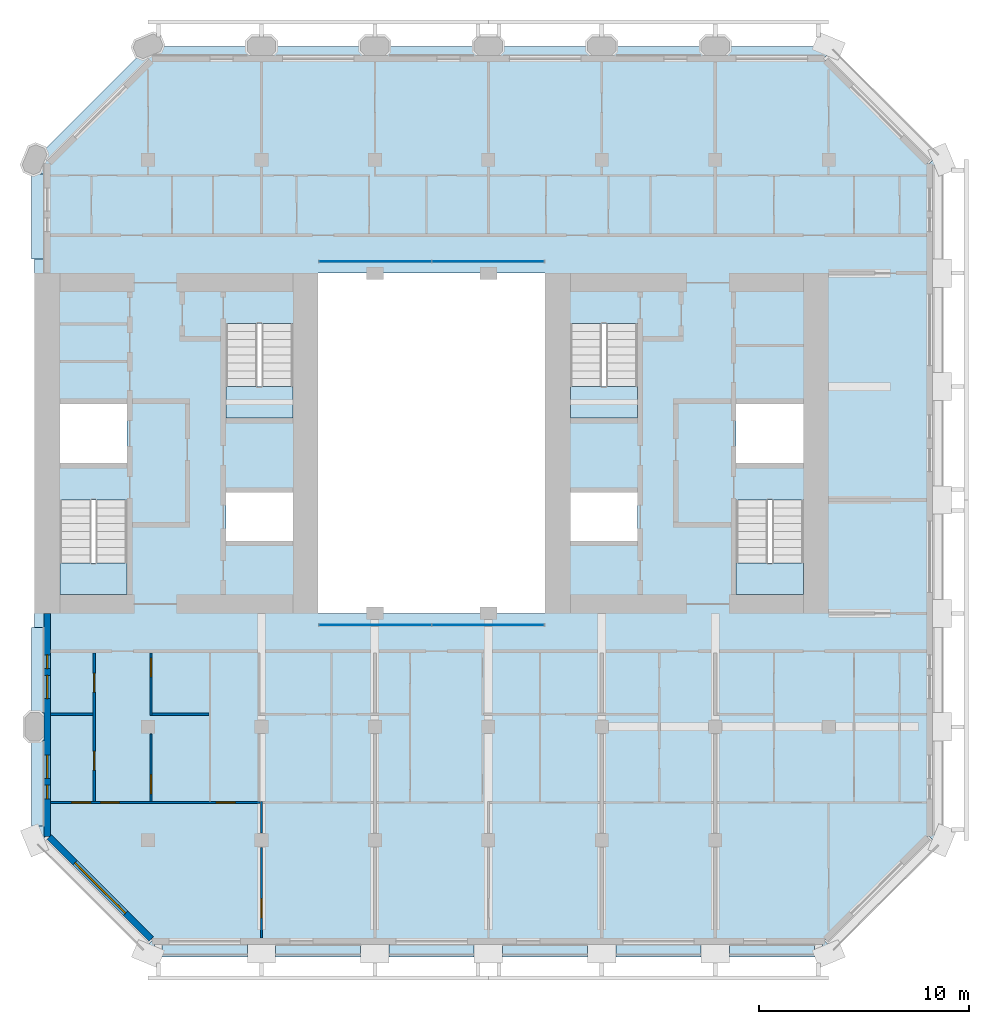
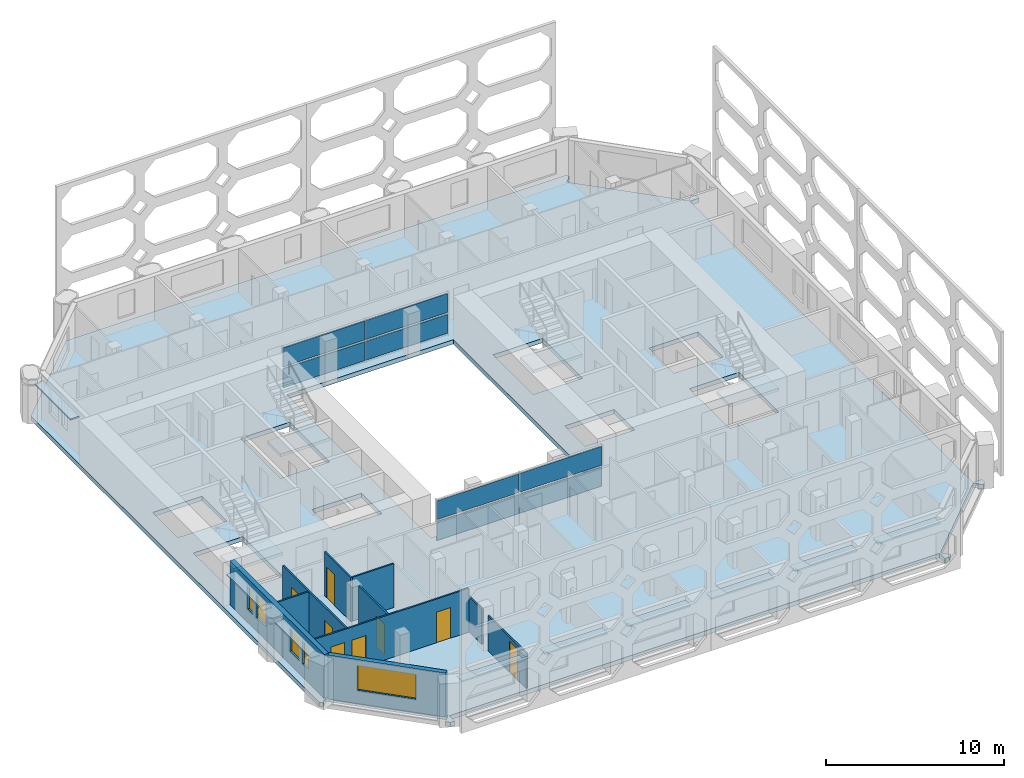
# One storey, part 5 of 15: 17 plates, 10 walls, 8 doors, 5 slabs, 5 windows, 13 openings, 6 elements without a shape of their own.
"""IFC4 building model written with IfcOpenShell, lengths in metres."""

import ifcopenshell
import ifcopenshell.guid

model = None  # the IFC model being written
_history = None  # IfcOwnerHistory: only IFC2X3 demands one
_inside = {}  # id of a spatial element -> (the spatial element, [elements in it])
_under = {}  # id of a project, library or spatial element -> (it, [spatial elements below it])
_declared = {}  # id of a project -> (the project, [libraries it declares])
_typed = {}  # id of a type object -> (the type object, [elements of that type])
_made_of = {}  # id of a material, layer set ... -> (it, [elements and type objects made of it])


def new_model(schema):
    """Start an empty IFC model of exactly this schema.

    Asked for "IFC4X3", IfcOpenShell would pick the latest addendum, in which some entities
    have other attributes; the version numbers below select the first issue.
    IFC2X3 requires an IfcOwnerHistory on every rooted entity: one is made here for all.
    """
    global model, _history
    if schema == "IFC4X3":
        model = ifcopenshell.file(schema_version=(4, 3, 0, 0))
    else:
        model = ifcopenshell.file(schema=schema)
    _inside.clear()
    _under.clear()
    _declared.clear()
    _typed.clear()
    _made_of.clear()
    _history = None
    if model.schema == "IFC2X3":
        org = make("IfcOrganization", Name="unknown")
        user = make(
            "IfcPersonAndOrganization",
            ThePerson=make("IfcPerson", FamilyName="unknown"),
            TheOrganization=org,
        )
        app = make(
            "IfcApplication",
            ApplicationDeveloper=org,
            Version="unknown",
            ApplicationFullName="unknown",
            ApplicationIdentifier="unknown",
        )
        _history = make(
            "IfcOwnerHistory",
            OwningUser=user,
            OwningApplication=app,
            ChangeAction="ADDED",
            CreationDate=0,
        )
    return model


def make(cls, **values):
    """One entity of the class cls with the attributes given. An attribute that is None is left unset."""
    return model.create_entity(
        cls, **{name: value for name, value in values.items() if value is not None}
    )


def rooted(cls, **values):
    """An entity with a GlobalId (a new one), such as an element, a storey or a relation."""
    return make(cls, GlobalId=ifcopenshell.guid.new(), OwnerHistory=_history, **values)


def si_unit(unit_type, name, prefix=None):
    """IfcSIUnit, for example si_unit("LENGTHUNIT", "METRE", prefix="MILLI")."""
    return make("IfcSIUnit", UnitType=unit_type, Prefix=prefix, Name=name)


def assignment(units):
    """IfcUnitAssignment: the units of a project."""
    return None if units is None else make("IfcUnitAssignment", Units=units)


def point(xyz):
    """IfcCartesianPoint."""
    return None if xyz is None else make("IfcCartesianPoint", Coordinates=xyz)


def direction(xyz):
    """IfcDirection."""
    return None if xyz is None else make("IfcDirection", DirectionRatios=xyz)


def frame(location, z_axis=None, x_axis=None):
    """IfcAxis2Placement3D, a coordinate frame: its origin and axes. An axis left out is left unset."""
    return make(
        "IfcAxis2Placement3D",
        Location=point(location),
        Axis=direction(z_axis),
        RefDirection=direction(x_axis),
    )


def frame_2d(location, x_axis=None):
    """IfcAxis2Placement2D, a coordinate frame in the plane: its origin and x axis."""
    return make(
        "IfcAxis2Placement2D", Location=point(location), RefDirection=direction(x_axis)
    )


def origin():
    """The frame at (0, 0, 0) with its axes left unset."""
    return frame((0.0, 0.0, 0.0))


def origin_2d():
    """The frame at (0, 0) in the plane with its x axis left unset."""
    return frame_2d((0.0, 0.0))


def place(relative_to, where):
    """IfcLocalPlacement: puts the frame where relative to a parent placement (None: the world)."""
    return make(
        "IfcLocalPlacement", PlacementRelTo=relative_to, RelativePlacement=where
    )


def context(
    kind, dimensions, precision=None, world=None, true_north=None, identifier=None
):
    """IfcGeometricRepresentationContext, for example the 3D "Model" context."""
    return make(
        "IfcGeometricRepresentationContext",
        ContextIdentifier=identifier,
        ContextType=kind,
        CoordinateSpaceDimension=dimensions,
        Precision=precision,
        WorldCoordinateSystem=world,
        TrueNorth=true_north,
    )


def subcontext(parent, identifier, kind, view, scale=None):
    """IfcGeometricRepresentationSubContext, for example "Body" below "Model"."""
    return make(
        "IfcGeometricRepresentationSubContext",
        ContextIdentifier=identifier,
        ContextType=kind,
        ParentContext=parent,
        TargetScale=scale,
        TargetView=view,
    )


def project(units=None, contexts=None):
    """IfcProject with its units and contexts."""
    return rooted(
        "IfcProject",
        Name="project",
        RepresentationContexts=contexts,
        UnitsInContext=assignment(units),
    )


def spatial(cls, under=None, at=None, **own):
    """A site, building, storey or space (cls), placed at a placement, below another one or the project."""
    s = rooted(cls, ObjectPlacement=at, **own)
    if under is not None:
        _under.setdefault(under.id(), (under, []))[1].append(s)
    return s


def polyline(points):
    """IfcPolyline through the points."""
    return make("IfcPolyline", Points=[point(p) for p in points])


def profile(cls, at=None, kind="AREA", **sizes):
    """A parametric profile (cls). Its sizes go by their IFC names, for example OverallWidth=200.0."""
    return make(cls, ProfileType=kind, Position=at, **sizes)


def rectangle(**sizes):
    """IfcRectangleProfileDef."""
    return profile("IfcRectangleProfileDef", **sizes)


def outline(outer, holes=None, kind="AREA"):
    """IfcArbitraryClosedProfileDef: a profile drawn as a closed curve; with holes, ...WithVoids."""
    if holes is None:
        return make("IfcArbitraryClosedProfileDef", ProfileType=kind, OuterCurve=outer)
    return make(
        "IfcArbitraryProfileDefWithVoids",
        ProfileType=kind,
        OuterCurve=outer,
        InnerCurves=holes,
    )


def extrude(swept, where, along, depth):
    """IfcExtrudedAreaSolid: the profile swept, set in the frame where, extruded along a direction by depth."""
    return make(
        "IfcExtrudedAreaSolid",
        SweptArea=swept,
        Position=where,
        ExtrudedDirection=direction(along),
        Depth=depth,
    )


def shape(context_of_items, identifier, shape_type, items):
    """IfcShapeRepresentation: the items that make up one representation, for example the "Body"."""
    return make(
        "IfcShapeRepresentation",
        ContextOfItems=context_of_items,
        RepresentationIdentifier=identifier,
        RepresentationType=shape_type,
        Items=items,
    )


def material(Name=None, Category=None):
    """IfcMaterial."""
    return make("IfcMaterial", Name=Name, Category=Category)


def layer(
    of_material, thickness, ventilated=None, Name=None, Category=None, Priority=None
):
    """IfcMaterialLayer: one layer of a wall or slab, of a material (None: an air gap)."""
    return make(
        "IfcMaterialLayer",
        Material=of_material,
        LayerThickness=thickness,
        IsVentilated=ventilated,
        Name=Name,
        Category=Category,
        Priority=Priority,
    )


def layer_set(layers, Name=None):
    """IfcMaterialLayerSet."""
    return make("IfcMaterialLayerSet", MaterialLayers=layers, LayerSetName=Name)


def made_of(thing, what):
    """Note that an element or type object is made of a material, layer set ...; save() writes the relation."""
    if what is not None:
        _made_of.setdefault(what.id(), (what, []))[1].append(thing)
    return thing


def type_object(cls, material=None, **own):
    """A type object (cls), such as IfcWallType, which elements share."""
    return made_of(rooted(cls, **own), material)


def element(
    cls,
    number,
    at=None,
    inside=None,
    cuts=None,
    type_object=None,
    material=None,
    context=None,
    identifier="Body",
    shape_type=None,
    held_by="IfcProductDefinitionShape",
    body=None,
    shapes=None,
    **own,
):
    """One element of the class cls, such as IfcWall. Its Tag is "e" and its number.

    at: its placement. inside: the storey or other place that contains it. cuts: it is an
    opening in that element (IfcRelVoidsElement). A single representation is given by context,
    identifier, shape_type and body (its items); several are given by shapes. held_by: the class
    of the entity that holds the representations. save() writes the other relations.
    """
    e = rooted(cls, Tag="e%d" % number, ObjectPlacement=at, **own)
    if body is not None:
        shapes = [shape(context, identifier, shape_type, body)]
    if shapes is not None:
        e.Representation = make(held_by, Representations=shapes)
    if inside is not None:
        _inside.setdefault(inside.id(), (inside, []))[1].append(e)
    if cuts is not None:
        rooted(
            "IfcRelVoidsElement", RelatingBuildingElement=cuts, RelatedOpeningElement=e
        )
    if type_object is not None:
        _typed.setdefault(type_object.id(), (type_object, []))[1].append(e)
    return made_of(e, material)


def fill(opening, filler):
    """IfcRelFillsElement: the door or window that sits in an opening."""
    return rooted(
        "IfcRelFillsElement",
        RelatingOpeningElement=opening,
        RelatedBuildingElement=filler,
    )


def aggregate(whole, parts):
    """IfcRelAggregates: a whole, such as a stair, and the parts it consists of."""
    return rooted("IfcRelAggregates", RelatingObject=whole, RelatedObjects=parts)


def save(model, path):
    """Write the relations noted so far, then the file.

    IfcRelAggregates (storeys below a building ...), IfcRelContainedInSpatialStructure (elements
    in a storey), IfcRelDefinesByType, IfcRelAssociatesMaterial and IfcRelDeclares: one each for
    every whole, place, type object, material and project.
    """
    for whole, parts in _under.values():
        aggregate(whole, parts)
    for where, things in _inside.values():
        rooted(
            "IfcRelContainedInSpatialStructure",
            RelatedElements=things,
            RelatingStructure=where,
        )
    for kind, things in _typed.values():
        rooted("IfcRelDefinesByType", RelatedObjects=things, RelatingType=kind)
    for what, things in _made_of.values():
        rooted("IfcRelAssociatesMaterial", RelatedObjects=things, RelatingMaterial=what)
    for by, libraries in _declared.values():
        rooted("IfcRelDeclares", RelatingContext=by, RelatedDefinitions=libraries)
    model.write(path)


model = new_model("IFC4")

# Units and contexts
model_context = context("Model", 3, precision=1e-05, world=origin(), true_north=direction((0.0, 1.0)))
body_context = subcontext(model_context, "Body", "Model", "MODEL_VIEW")
ifc_project = project(units=[si_unit("LENGTHUNIT", "METRE"), si_unit("AREAUNIT", "SQUARE_METRE"), si_unit("VOLUMEUNIT", "CUBIC_METRE"), si_unit("PLANEANGLEUNIT", "RADIAN"), si_unit("MASSUNIT", "GRAM", prefix="KILO")], contexts=[model_context])

# Site, building, storey
site_placement = place(None, origin())
site = spatial("IfcSite", under=ifc_project, at=site_placement, CompositionType="ELEMENT")
building_placement = place(site_placement, origin())
building = spatial("IfcBuilding", under=site, at=building_placement, Name="Tabaq Tower and Sports Hall", CompositionType="ELEMENT")
storey_placement = place(building_placement, frame((0.0, 0.0, 278.5)))
storey = spatial("IfcBuildingStorey", under=building, at=storey_placement, Name="L68", CompositionType="ELEMENT", Elevation=278.5)

# Curtain wall, plates
ifc_material_1 = material(Name="Aluminium alloy 6063-T6 framed glazing", Category="aluminium")
curtain_wall_type = type_object("IfcCurtainWallType", Name="CW1 curtain wall", PredefinedType="USERDEFINED", material=ifc_material_1)
curtain_wall_1_placement = place(storey_placement, origin())
curtain_wall_1 = element("IfcCurtainWall", 1, at=curtain_wall_1_placement, inside=storey, type_object=curtain_wall_type, Name="Atrium glazing L68 S", ObjectType="ATRIUM ENCLOSURE", PredefinedType="USERDEFINED")
ifc_material_2 = material(Name="Clear low-emissivity glass 28 mm", Category="glass")
ifc_layer_1 = layer(ifc_material_2, 0.028076171875)
ifc_layer_set_1 = layer_set([ifc_layer_1], Name="CW1 glass panel 28")
plate_type_1 = type_object("IfcPlateType", Name="CW1 glass panel 28", PredefinedType="CURTAIN_PANEL", material=ifc_layer_set_1)
plate_1_placement = place(storey_placement, frame((21.614990234375, 15.64990234375, 0.139892578125), z_axis=(0.0, 0.0, 1.0), x_axis=(1.0, 0.0, 0.0)))
plate_1 = element("IfcPlate", 2, at=plate_1_placement, type_object=plate_type_1, Name="CW1 panel 1.1", PredefinedType="CURTAIN_PANEL", context=body_context, shape_type="SweptSolid", body=[
    extrude(rectangle(XDim=5.31005859375, YDim=0.028076171875, at=origin_2d()), origin(), (0.0, 0.0, 1.0), 1.2900390625),
])
plate_2_placement = place(storey_placement, frame((21.614990234375, 15.64990234375, 1.570068359375), z_axis=(0.0, 0.0, 1.0), x_axis=(1.0, 0.0, 0.0)))
plate_2 = element("IfcPlate", 3, at=plate_2_placement, type_object=plate_type_1, Name="CW1 panel 1.2", PredefinedType="CURTAIN_PANEL", context=body_context, shape_type="SweptSolid", body=[
    extrude(rectangle(XDim=5.31005859375, YDim=0.028076171875, at=origin_2d()), origin(), (0.0, 0.0, 1.0), 1.2900390625),
])
plate_3_placement = place(storey_placement, frame((26.985107421875, 15.64990234375, 0.139892578125), z_axis=(0.0, 0.0, 1.0), x_axis=(1.0, 0.0, 0.0)))
plate_3 = element("IfcPlate", 4, at=plate_3_placement, type_object=plate_type_1, Name="CW1 panel 2.1", PredefinedType="CURTAIN_PANEL", context=body_context, shape_type="SweptSolid", body=[
    extrude(rectangle(XDim=5.31005859375, YDim=0.028076171875, at=origin_2d()), origin(), (0.0, 0.0, 1.0), 1.2900390625),
])
plate_4_placement = place(storey_placement, frame((26.985107421875, 15.64990234375, 1.570068359375), z_axis=(0.0, 0.0, 1.0), x_axis=(1.0, 0.0, 0.0)))
plate_4 = element("IfcPlate", 5, at=plate_4_placement, type_object=plate_type_1, Name="CW1 panel 2.2", PredefinedType="CURTAIN_PANEL", context=body_context, shape_type="SweptSolid", body=[
    extrude(rectangle(XDim=5.31005859375, YDim=0.028076171875, at=origin_2d()), origin(), (0.0, 0.0, 1.0), 1.2900390625),
])
aggregate(curtain_wall_1, [plate_1, plate_2, plate_3, plate_4])

curtain_wall_2_placement = place(storey_placement, origin())
curtain_wall_2 = element("IfcCurtainWall", 6, at=curtain_wall_2_placement, inside=storey, type_object=curtain_wall_type, Name="Atrium glazing L68 N", ObjectType="ATRIUM ENCLOSURE", PredefinedType="USERDEFINED")
plate_5_placement = place(storey_placement, frame((21.614990234375, 32.949951171875, 0.139892578125), z_axis=(0.0, 0.0, 1.0), x_axis=(1.0, 0.0, 0.0)))
plate_5 = element("IfcPlate", 7, at=plate_5_placement, type_object=plate_type_1, Name="CW1 panel 1.1", PredefinedType="CURTAIN_PANEL", context=body_context, shape_type="SweptSolid", body=[
    extrude(rectangle(XDim=5.31005859375, YDim=0.028076171875, at=origin_2d()), origin(), (0.0, 0.0, 1.0), 1.2900390625),
])
plate_6_placement = place(storey_placement, frame((21.614990234375, 32.949951171875, 1.570068359375), z_axis=(0.0, 0.0, 1.0), x_axis=(1.0, 0.0, 0.0)))
plate_6 = element("IfcPlate", 8, at=plate_6_placement, type_object=plate_type_1, Name="CW1 panel 1.2", PredefinedType="CURTAIN_PANEL", context=body_context, shape_type="SweptSolid", body=[
    extrude(rectangle(XDim=5.31005859375, YDim=0.028076171875, at=origin_2d()), origin(), (0.0, 0.0, 1.0), 1.2900390625),
])
plate_7_placement = place(storey_placement, frame((26.985107421875, 32.949951171875, 0.139892578125), z_axis=(0.0, 0.0, 1.0), x_axis=(1.0, 0.0, 0.0)))
plate_7 = element("IfcPlate", 9, at=plate_7_placement, type_object=plate_type_1, Name="CW1 panel 2.1", PredefinedType="CURTAIN_PANEL", context=body_context, shape_type="SweptSolid", body=[
    extrude(rectangle(XDim=5.31005859375, YDim=0.028076171875, at=origin_2d()), origin(), (0.0, 0.0, 1.0), 1.2900390625),
])
plate_8_placement = place(storey_placement, frame((26.985107421875, 32.949951171875, 1.570068359375), z_axis=(0.0, 0.0, 1.0), x_axis=(1.0, 0.0, 0.0)))
plate_8 = element("IfcPlate", 10, at=plate_8_placement, type_object=plate_type_1, Name="CW1 panel 2.2", PredefinedType="CURTAIN_PANEL", context=body_context, shape_type="SweptSolid", body=[
    extrude(rectangle(XDim=5.31005859375, YDim=0.028076171875, at=origin_2d()), origin(), (0.0, 0.0, 1.0), 1.2900390625),
])
aggregate(curtain_wall_2, [plate_5, plate_6, plate_7, plate_8])

# Stair, slab
ifc_material_3 = material(Name="Concrete C40/50", Category="concrete")
stair_type = type_object("IfcStairType", Name="Exit stair", PredefinedType="HALF_TURN_STAIR", material=ifc_material_3)
stair_1_placement = place(storey_placement, origin())
stair_1 = element("IfcStair", 11, at=stair_1_placement, inside=storey, type_object=stair_type, Name="L68 Exit stair ST1", PredefinedType="HALF_TURN_STAIR")
ifc_material_4 = material(Name="Concrete C40/50", Category="concrete")
ifc_layer_2 = layer(ifc_material_4, 0.199951171875)
ifc_layer_set_2 = layer_set([ifc_layer_2], Name="Exit stair landing")
slab_type_1 = type_object("IfcSlabType", Name="Exit stair landing", PredefinedType="LANDING", material=ifc_layer_set_2)
slab_1_placement = place(storey_placement, frame((0.0, 0.0, 1.449951171875)))
slab_1 = element("IfcSlab", 12, at=slab_1_placement, type_object=slab_type_1, Name="ST1 landing 1", PredefinedType="LANDING", context=body_context, shape_type="SweptSolid", body=[
    extrude(outline(polyline([(6.60009765625, 18.60009765625), (6.60009765625, 17.10009765625), (9.800048828125, 17.10009765625), (9.800048828125, 18.60009765625), (6.60009765625, 18.60009765625)])), origin(), (0.0, 0.0, 1.0), 0.199951171875),
])
aggregate(stair_1, [slab_1])

stair_2_placement = place(storey_placement, origin())
stair_2 = element("IfcStair", 13, at=stair_2_placement, inside=storey, type_object=stair_type, Name="L68 Exit stair ST2", PredefinedType="HALF_TURN_STAIR")
slab_2_placement = place(storey_placement, frame((0.0, 0.0, 1.449951171875)))
slab_2 = element("IfcSlab", 14, at=slab_2_placement, type_object=slab_type_1, Name="ST2 landing 1", PredefinedType="LANDING", context=body_context, shape_type="SweptSolid", body=[
    extrude(outline(polyline([(14.5, 27.0), (14.5, 25.5), (17.699951171875, 25.5), (17.699951171875, 27.0), (14.5, 27.0)])), origin(), (0.0, 0.0, 1.0), 0.199951171875),
])
aggregate(stair_2, [slab_2])

stair_3_placement = place(storey_placement, origin())
stair_3 = element("IfcStair", 15, at=stair_3_placement, inside=storey, type_object=stair_type, Name="L68 Exit stair ST3", PredefinedType="HALF_TURN_STAIR")
slab_3_placement = place(storey_placement, frame((0.0, 0.0, 1.449951171875)))
slab_3 = element("IfcSlab", 16, at=slab_3_placement, type_object=slab_type_1, Name="ST3 landing 1", PredefinedType="LANDING", context=body_context, shape_type="SweptSolid", body=[
    extrude(outline(polyline([(38.800048828125, 18.60009765625), (38.800048828125, 17.10009765625), (42.0, 17.10009765625), (42.0, 18.60009765625), (38.800048828125, 18.60009765625)])), origin(), (0.0, 0.0, 1.0), 0.199951171875),
])
aggregate(stair_3, [slab_3])

stair_4_placement = place(storey_placement, origin())
stair_4 = element("IfcStair", 17, at=stair_4_placement, inside=storey, type_object=stair_type, Name="L68 Exit stair ST4", PredefinedType="HALF_TURN_STAIR")
slab_4_placement = place(storey_placement, frame((0.0, 0.0, 1.449951171875)))
slab_4 = element("IfcSlab", 18, at=slab_4_placement, type_object=slab_type_1, Name="ST4 landing 1", PredefinedType="LANDING", context=body_context, shape_type="SweptSolid", body=[
    extrude(outline(polyline([(30.89990234375, 27.0), (30.89990234375, 25.5), (34.10009765625, 25.5), (34.10009765625, 27.0), (30.89990234375, 27.0)])), origin(), (0.0, 0.0, 1.0), 0.199951171875),
])
aggregate(stair_4, [slab_4])

# Slab
ifc_material_5 = material(Name="Concrete C40/50", Category="concrete")
ifc_layer_3 = layer(ifc_material_5, 0.300048828125)
ifc_layer_set_3 = layer_set([ifc_layer_3], Name="PT FLOOR SLAB 300 C40/50")
slab_type_2 = type_object("IfcSlabType", Name="PT FLOOR SLAB 300 C40/50", PredefinedType="FLOOR", material=ifc_layer_set_3)
slab_5_placement = place(storey_placement, frame((0.0, 0.0, -0.300048828125)))
element("IfcSlab", 19, at=slab_5_placement, inside=storey, type_object=slab_type_2, Name="Floor Slab L68", PredefinedType="FLOOR", context=body_context, shape_type="SweptSolid", body=[
    extrude(outline(polyline([(5.39990234375, 37.800048828125), (5.39990234375, 5.39990234375), (5.57666015625, 5.22314453125), (5.930419921875, 5.57666015625), (6.0009765625, 5.6474609375), (11.01318359375, 0.63525390625), (10.5888671875, 0.211181640625), (10.800048828125, 0.0), (11.0986328125, 0.0), (11.0986328125, 0.5), (11.0986328125, 0.60009765625), (42.9013671875, 0.60009765625), (42.9013671875, 0.5), (42.9013671875, 0.0), (43.199951171875, 0.0), (43.4111328125, 0.211181640625), (42.98681640625, 0.63525390625), (47.964599609375, 5.61328125), (48.035400390625, 5.54248046875), (48.388916015625, 5.18896484375), (48.60009765625, 5.39990234375), (48.60009765625, 5.698486328125), (48.10009765625, 5.698486328125), (48.0, 5.698486328125), (48.0, 37.50146484375), (48.10009765625, 37.50146484375), (48.60009765625, 37.50146484375), (48.60009765625, 37.800048828125), (48.388916015625, 38.010986328125), (48.035400390625, 37.657470703125), (47.964599609375, 37.5869140625), (42.952392578125, 42.598876953125), (43.023193359375, 42.669677734375), (43.376708984375, 43.023193359375), (43.199951171875, 43.199951171875), (10.800048828125, 43.199951171875), (5.39990234375, 37.800048828125)]), holes=[polyline([(6.60009765625, 21.599365234375), (9.800048828125, 21.599365234375), (9.800048828125, 17.10009765625), (6.60009765625, 17.10009765625), (6.60009765625, 21.599365234375)]), polyline([(38.800048828125, 21.599365234375), (42.0, 21.599365234375), (42.0, 17.10009765625), (38.800048828125, 17.10009765625), (38.800048828125, 21.599365234375)]), polyline([(14.5, 21.949951171875), (17.699951171875, 21.949951171875), (17.699951171875, 19.64990234375), (14.5, 19.64990234375), (14.5, 21.949951171875)]), polyline([(30.89990234375, 21.949951171875), (34.10009765625, 21.949951171875), (34.10009765625, 19.64990234375), (30.89990234375, 19.64990234375), (30.89990234375, 21.949951171875)]), polyline([(18.89990234375, 16.199951171875), (18.89990234375, 32.39990234375), (29.699951171875, 32.39990234375), (29.699951171875, 16.199951171875), (18.89990234375, 16.199951171875)]), polyline([(6.60009765625, 26.175048828125), (9.800048828125, 26.175048828125), (9.800048828125, 23.35009765625), (6.60009765625, 23.35009765625), (6.60009765625, 26.175048828125)]), polyline([(38.800048828125, 26.175048828125), (42.0, 26.175048828125), (42.0, 23.35009765625), (38.800048828125, 23.35009765625), (38.800048828125, 26.175048828125)]), polyline([(17.699951171875, 29.99951171875), (17.699951171875, 25.5), (14.5, 25.5), (14.5, 29.99951171875), (17.699951171875, 29.99951171875)]), polyline([(34.10009765625, 29.99951171875), (34.10009765625, 25.5), (30.89990234375, 25.5), (30.89990234375, 29.99951171875), (34.10009765625, 29.99951171875)])]), origin(), (0.0, 0.0, 1.0), 0.300048828125),
])

# Plates
ifc_material_6 = material(Name="White precast concrete C60/75 blade", Category="concrete")
ifc_layer_4 = layer(ifc_material_6, 0.10009765625)
ifc_layer_set_4 = layer_set([ifc_layer_4], Name="White precast concrete C60/75 sunshade 100")
plate_type_2 = type_object("IfcPlateType", Name="White precast concrete C60/75 sunshade 100", PredefinedType="USERDEFINED", material=ifc_layer_set_4)
for number, where, z_axis, x_axis, name in (
    (20, (13.5, 0.14990234375, 2.599853515625), (0.0, 0.0, 1.0), (1.0, 0.0, 0.0), "Sunshade L68 S"),
    (21, (18.89990234375, 0.14990234375, 2.599853515625), (0.0, 0.0, 1.0), (1.0, 0.0, 0.0), "Sunshade L68 S"),
    (22, (24.300048828125, 0.14990234375, 2.599853515625), (0.0, 0.0, 1.0), (1.0, 0.0, 0.0), "Sunshade L68 S"),
    (23, (29.699951171875, 0.14990234375, 2.599853515625), (0.0, 0.0, 1.0), (1.0, 0.0, 0.0), "Sunshade L68 S"),
    (24, (35.10009765625, 0.14990234375, 2.599853515625), (0.0, 0.0, 1.0), (1.0, 0.0, 0.0), "Sunshade L68 S"),
    (25, (40.5, 0.14990234375, 2.599853515625), (0.0, 0.0, 1.0), (1.0, 0.0, 0.0), "Sunshade L68 S"),
    (26, (5.550048828125, 35.10009765625, 2.599853515625), (0.0, 0.0, 1.0), (0.0, -1.0, 0.0), "Sunshade L68 W"),
    (27, (5.550048828125, 13.5, 2.599853515625), (0.0, 0.0, 1.0), (0.0, -1.0, 0.0), "Sunshade L68 W"),
    (28, (5.550048828125, 8.10009765625, 2.599853515625), (0.0, 0.0, 1.0), (0.0, -1.0, 0.0), "Sunshade L68 W"),
):
    element("IfcPlate", number, at=place(storey_placement, frame(where, z_axis=z_axis, x_axis=x_axis)), inside=storey, type_object=plate_type_2, Name=name, ObjectType="SUNSHADE", PredefinedType="USERDEFINED", context=body_context, shape_type="SweptSolid", body=[
        extrude(rectangle(XDim=4.050048828125, YDim=0.60009765625, at=origin_2d()), origin(), (0.0, 0.0, 1.0), 0.10009765625),
    ])

# Wall, opening, door
ifc_material_7 = material(Name="Gypsum board on steel studs", Category="steel")
ifc_layer_5 = layer(ifc_material_7, 0.10009765625)
ifc_layer_set_5 = layer_set([ifc_layer_5], Name="Partition 100 Gypsum board")
wall_type_1 = type_object("IfcWallType", Name="Partition 100 Gypsum board", PredefinedType="PARTITIONING", material=ifc_layer_set_5)
wall_1_placement = place(storey_placement, frame((16.199951171875, 0.7509765625, 0.0), z_axis=(0.0, 0.0, 1.0), x_axis=(0.0, 1.0, 0.0)))
wall_1 = element("IfcWall", 29, at=wall_1_placement, inside=storey, type_object=wall_type_1, Name="Partition wall L68", PredefinedType="PARTITIONING", context=body_context, shape_type="SweptSolid", body=[
    extrude(rectangle(XDim=4.303955078125, YDim=0.10009765625, at=frame_2d((2.15185546875, 0.0))), origin(), (0.0, 0.0, 1.0), 2.39990234375),
])
opening_1_placement = place(wall_1_placement, frame((0.97412109375, 0.0, 0.0)))
opening_1 = element("IfcOpeningElement", 30, at=opening_1_placement, cuts=wall_1, Name="Opening L68-054", PredefinedType="OPENING", context=body_context, shape_type="SweptSolid", body=[
    extrude(rectangle(XDim=0.89990234375, YDim=2.10009765625, at=frame_2d((0.449951171875, 1.050048828125))), frame((0.0, 0.050048828125, 0.0), z_axis=(0.0, -1.0, 0.0), x_axis=(1.0, 0.0, 0.0)), (0.0, 0.0, 1.0), 0.10009765625),
])
ifc_material_8 = material(Name="Timber leaf in steel frame", Category="steel")
door_type_1 = type_object("IfcDoorType", Name="Internal door 900 right hand", OperationType="SINGLE_SWING_RIGHT", PredefinedType="DOOR", material=ifc_material_8)
door_1_placement = place(opening_1_placement, origin())
door_1 = element("IfcDoor", 31, at=door_1_placement, inside=storey, type_object=door_type_1, Name="Internal door L68-054", OperationType="SINGLE_SWING_RIGHT", OverallHeight=2.10009765625, OverallWidth=0.89990234375, PredefinedType="DOOR", context=body_context, shape_type="SweptSolid", body=[
    extrude(rectangle(XDim=0.89990234375, YDim=2.10009765625, at=frame_2d((0.449951171875, 1.050048828125))), frame((0.0, 0.02490234375, 0.0), z_axis=(0.0, -1.0, 0.0), x_axis=(1.0, 0.0, 0.0)), (0.0, 0.0, 1.0), 0.050048828125),
])
fill(opening_1, door_1)

# Wall
wall_2_placement = place(storey_placement, frame((16.199951171875, 5.7451171875, 0.0), z_axis=(0.0, 0.0, 1.0), x_axis=(0.0, 1.0, 0.0)))
element("IfcWall", 32, at=wall_2_placement, inside=storey, type_object=wall_type_1, Name="Partition wall L68", PredefinedType="PARTITIONING", context=body_context, shape_type="SweptSolid", body=[
    extrude(rectangle(XDim=1.5048828125, YDim=0.10009765625, at=frame_2d((0.75244140625, 0.0))), origin(), (0.0, 0.0, 1.0), 2.39990234375),
])

# Wall, openings, doors
wall_3_placement = place(storey_placement, frame((16.1298828125, 7.199951171875, 0.0), z_axis=(0.0, 0.0, 1.0), x_axis=(-1.0, 0.0, 0.0)))
wall_3 = element("IfcWall", 33, at=wall_3_placement, inside=storey, type_object=wall_type_1, Name="Partition wall L68", PredefinedType="PARTITIONING", context=body_context, shape_type="SweptSolid", body=[
    extrude(rectangle(XDim=9.97900390625, YDim=0.10009765625, at=frame_2d((4.989501953125, 0.0))), origin(), (0.0, 0.0, 1.0), 3.0),
])
opening_2_placement = place(wall_3_placement, frame((1.18994140625, 0.0, 0.0)))
opening_2 = element("IfcOpeningElement", 34, at=opening_2_placement, cuts=wall_3, Name="Opening L68-009", PredefinedType="OPENING", context=body_context, shape_type="SweptSolid", body=[
    extrude(rectangle(XDim=0.89990234375, YDim=2.10009765625, at=frame_2d((0.449951171875, 1.050048828125))), frame((0.0, 0.050048828125, 0.0), z_axis=(0.0, -1.0, 0.0), x_axis=(1.0, 0.0, 0.0)), (0.0, 0.0, 1.0), 0.10009765625),
])
opening_3_placement = place(wall_3_placement, frame((8.06005859375, 0.0, 0.0)))
opening_3 = element("IfcOpeningElement", 35, at=opening_3_placement, cuts=wall_3, Name="Opening L68-036", PredefinedType="OPENING", context=body_context, shape_type="SweptSolid", body=[
    extrude(rectangle(XDim=0.89990234375, YDim=2.10009765625, at=frame_2d((0.449951171875, 1.050048828125))), frame((0.0, 0.050048828125, 0.0), z_axis=(0.0, -1.0, 0.0), x_axis=(1.0, 0.0, 0.0)), (0.0, 0.0, 1.0), 0.10009765625),
])
opening_4_placement = place(wall_3_placement, frame((6.68994140625, 0.0, 0.0)))
opening_4 = element("IfcOpeningElement", 36, at=opening_4_placement, cuts=wall_3, Name="Opening L68-061", PredefinedType="OPENING", context=body_context, shape_type="SweptSolid", body=[
    extrude(rectangle(XDim=0.89990234375, YDim=2.10009765625, at=frame_2d((0.449951171875, 1.050048828125))), frame((0.0, 0.050048828125, 0.0), z_axis=(0.0, -1.0, 0.0), x_axis=(1.0, 0.0, 0.0)), (0.0, 0.0, 1.0), 0.10009765625),
])
ifc_material_9 = material(Name="Timber leaf in steel frame", Category="steel")
door_type_2 = type_object("IfcDoorType", Name="Internal door 900 left hand", OperationType="SINGLE_SWING_LEFT", PredefinedType="DOOR", material=ifc_material_9)
door_2_placement = place(opening_2_placement, origin())
door_2 = element("IfcDoor", 37, at=door_2_placement, inside=storey, type_object=door_type_2, Name="Internal door L68-009", OperationType="SINGLE_SWING_LEFT", OverallHeight=2.10009765625, OverallWidth=0.89990234375, PredefinedType="DOOR", context=body_context, shape_type="SweptSolid", body=[
    extrude(rectangle(XDim=0.89990234375, YDim=2.10009765625, at=frame_2d((0.449951171875, 1.050048828125))), frame((0.0, 0.02490234375, 0.0), z_axis=(0.0, -1.0, 0.0), x_axis=(1.0, 0.0, 0.0)), (0.0, 0.0, 1.0), 0.050048828125),
])
fill(opening_2, door_2)
door_3_placement = place(opening_4_placement, origin())
door_3 = element("IfcDoor", 38, at=door_3_placement, inside=storey, type_object=door_type_2, Name="Internal door L68-061", OperationType="SINGLE_SWING_LEFT", OverallHeight=2.10009765625, OverallWidth=0.89990234375, PredefinedType="DOOR", context=body_context, shape_type="SweptSolid", body=[
    extrude(rectangle(XDim=0.89990234375, YDim=2.10009765625, at=frame_2d((0.449951171875, 1.050048828125))), frame((0.0, 0.02490234375, 0.0), z_axis=(0.0, -1.0, 0.0), x_axis=(1.0, 0.0, 0.0)), (0.0, 0.0, 1.0), 0.050048828125),
])
fill(opening_4, door_3)
door_4_placement = place(opening_3_placement, origin())
door_4 = element("IfcDoor", 39, at=door_4_placement, inside=storey, type_object=door_type_1, Name="Internal door L68-036", OperationType="SINGLE_SWING_RIGHT", OverallHeight=2.10009765625, OverallWidth=0.89990234375, PredefinedType="DOOR", context=body_context, shape_type="SweptSolid", body=[
    extrude(rectangle(XDim=0.89990234375, YDim=2.10009765625, at=frame_2d((0.449951171875, 1.050048828125))), frame((0.0, 0.02490234375, 0.0), z_axis=(0.0, -1.0, 0.0), x_axis=(1.0, 0.0, 0.0)), (0.0, 0.0, 1.0), 0.050048828125),
])
fill(opening_3, door_4)

# Wall
wall_4_placement = place(storey_placement, frame((8.18994140625, 11.39990234375, 0.0), z_axis=(0.0, 0.0, 1.0), x_axis=(-1.0, 0.0, 0.0)))
element("IfcWall", 40, at=wall_4_placement, inside=storey, type_object=wall_type_1, Name="Partition wall L68", PredefinedType="PARTITIONING", context=body_context, shape_type="SweptSolid", body=[
    extrude(rectangle(XDim=2.0390625, YDim=0.10009765625, at=frame_2d((1.01953125, 0.0))), origin(), (0.0, 0.0, 1.0), 3.0),
])

# Wall, openings, doors
wall_5_placement = place(storey_placement, frame((8.239990234375, 7.25, 0.0), z_axis=(0.0, 0.0, 1.0), x_axis=(0.0, 1.0, 0.0)))
wall_5 = element("IfcWall", 41, at=wall_5_placement, inside=storey, type_object=wall_type_1, Name="Partition wall L68", PredefinedType="PARTITIONING", context=body_context, shape_type="SweptSolid", body=[
    extrude(rectangle(XDim=7.074951171875, YDim=0.10009765625, at=frame_2d((3.53759765625, 0.0))), origin(), (0.0, 0.0, 1.0), 3.0),
])
opening_5_placement = place(wall_5_placement, frame((5.199951171875, 0.0, 0.0)))
opening_5 = element("IfcOpeningElement", 42, at=opening_5_placement, cuts=wall_5, Name="Opening L68-010", PredefinedType="OPENING", context=body_context, shape_type="SweptSolid", body=[
    extrude(rectangle(XDim=0.89990234375, YDim=2.10009765625, at=frame_2d((0.449951171875, 1.050048828125))), frame((0.0, 0.050048828125, 0.0), z_axis=(0.0, -1.0, 0.0), x_axis=(1.0, 0.0, 0.0)), (0.0, 0.0, 1.0), 0.10009765625),
])
opening_6_placement = place(wall_5_placement, frame((1.488037109375, 0.0, 0.0)))
opening_6 = element("IfcOpeningElement", 43, at=opening_6_placement, cuts=wall_5, Name="Opening L68-039", PredefinedType="OPENING", context=body_context, shape_type="SweptSolid", body=[
    extrude(rectangle(XDim=0.89990234375, YDim=2.10009765625, at=frame_2d((0.449951171875, 1.050048828125))), frame((0.0, 0.050048828125, 0.0), z_axis=(0.0, -1.0, 0.0), x_axis=(1.0, 0.0, 0.0)), (0.0, 0.0, 1.0), 0.10009765625),
])
door_5_placement = place(opening_6_placement, origin())
door_5 = element("IfcDoor", 44, at=door_5_placement, inside=storey, type_object=door_type_2, Name="Internal door L68-039", OperationType="SINGLE_SWING_LEFT", OverallHeight=2.10009765625, OverallWidth=0.89990234375, PredefinedType="DOOR", context=body_context, shape_type="SweptSolid", body=[
    extrude(rectangle(XDim=0.89990234375, YDim=2.10009765625, at=frame_2d((0.449951171875, 1.050048828125))), frame((0.0, 0.02490234375, 0.0), z_axis=(0.0, -1.0, 0.0), x_axis=(1.0, 0.0, 0.0)), (0.0, 0.0, 1.0), 0.050048828125),
])
fill(opening_6, door_5)
door_6_placement = place(opening_5_placement, origin())
door_6 = element("IfcDoor", 45, at=door_6_placement, inside=storey, type_object=door_type_1, Name="Internal door L68-010", OperationType="SINGLE_SWING_RIGHT", OverallHeight=2.10009765625, OverallWidth=0.89990234375, PredefinedType="DOOR", context=body_context, shape_type="SweptSolid", body=[
    extrude(rectangle(XDim=0.89990234375, YDim=2.10009765625, at=frame_2d((0.449951171875, 1.050048828125))), frame((0.0, 0.02490234375, 0.0), z_axis=(0.0, -1.0, 0.0), x_axis=(1.0, 0.0, 0.0)), (0.0, 0.0, 1.0), 0.050048828125),
])
fill(opening_5, door_6)

# Wall, opening, door
wall_6_placement = place(storey_placement, frame((10.93994140625, 7.25, 0.0), z_axis=(0.0, 0.0, 1.0), x_axis=(0.0, 1.0, 0.0)))
wall_6 = element("IfcWall", 46, at=wall_6_placement, inside=storey, type_object=wall_type_1, Name="Partition wall L68", PredefinedType="PARTITIONING", context=body_context, shape_type="SweptSolid", body=[
    extrude(rectangle(XDim=3.205078125, YDim=0.10009765625, at=frame_2d((1.6025390625, 0.0))), origin(), (0.0, 0.0, 1.0), 3.0),
])
opening_7_placement = place(wall_6_placement, frame((0.362060546875, 0.0, 0.0)))
opening_7 = element("IfcOpeningElement", 47, at=opening_7_placement, cuts=wall_6, Name="Opening L68-011", PredefinedType="OPENING", context=body_context, shape_type="SweptSolid", body=[
    extrude(rectangle(XDim=0.89990234375, YDim=2.10009765625, at=frame_2d((0.449951171875, 1.050048828125))), frame((0.0, 0.050048828125, 0.0), z_axis=(0.0, -1.0, 0.0), x_axis=(1.0, 0.0, 0.0)), (0.0, 0.0, 1.0), 0.10009765625),
])
door_7_placement = place(opening_7_placement, origin())
door_7 = element("IfcDoor", 48, at=door_7_placement, inside=storey, type_object=door_type_2, Name="Internal door L68-011", OperationType="SINGLE_SWING_LEFT", OverallHeight=2.10009765625, OverallWidth=0.89990234375, PredefinedType="DOOR", context=body_context, shape_type="SweptSolid", body=[
    extrude(rectangle(XDim=0.89990234375, YDim=2.10009765625, at=frame_2d((0.449951171875, 1.050048828125))), frame((0.0, 0.02490234375, 0.0), z_axis=(0.0, -1.0, 0.0), x_axis=(1.0, 0.0, 0.0)), (0.0, 0.0, 1.0), 0.050048828125),
])
fill(opening_7, door_7)

wall_7_placement = place(storey_placement, frame((10.93994140625, 11.35009765625, 0.0), z_axis=(0.0, 0.0, 1.0), x_axis=(0.0, 1.0, 0.0)))
wall_7 = element("IfcWall", 49, at=wall_7_placement, inside=storey, type_object=wall_type_1, Name="Partition wall L68", PredefinedType="PARTITIONING", context=body_context, shape_type="SweptSolid", body=[
    extrude(rectangle(XDim=2.974853515625, YDim=0.10009765625, at=frame_2d((1.4873046875, 0.0))), origin(), (0.0, 0.0, 1.0), 3.0),
])
opening_8_placement = place(wall_7_placement, frame((1.824951171875, 0.0, 0.0)))
opening_8 = element("IfcOpeningElement", 50, at=opening_8_placement, cuts=wall_7, Name="Opening L68-012", PredefinedType="OPENING", context=body_context, shape_type="SweptSolid", body=[
    extrude(rectangle(XDim=0.89990234375, YDim=2.10009765625, at=frame_2d((0.449951171875, 1.050048828125))), frame((0.0, 0.050048828125, 0.0), z_axis=(0.0, -1.0, 0.0), x_axis=(1.0, 0.0, 0.0)), (0.0, 0.0, 1.0), 0.10009765625),
])
door_8_placement = place(opening_8_placement, origin())
door_8 = element("IfcDoor", 51, at=door_8_placement, inside=storey, type_object=door_type_2, Name="Internal door L68-012", OperationType="SINGLE_SWING_LEFT", OverallHeight=2.10009765625, OverallWidth=0.89990234375, PredefinedType="DOOR", context=body_context, shape_type="SweptSolid", body=[
    extrude(rectangle(XDim=0.89990234375, YDim=2.10009765625, at=frame_2d((0.449951171875, 1.050048828125))), frame((0.0, 0.02490234375, 0.0), z_axis=(0.0, -1.0, 0.0), x_axis=(1.0, 0.0, 0.0)), (0.0, 0.0, 1.0), 0.050048828125),
])
fill(opening_8, door_8)

# Wall
wall_8_placement = place(storey_placement, frame((13.68994140625, 11.39990234375, 0.0), z_axis=(0.0, 0.0, 1.0), x_axis=(-1.0, 0.0, 0.0)))
element("IfcWall", 52, at=wall_8_placement, inside=storey, type_object=wall_type_1, Name="Partition wall L68", PredefinedType="PARTITIONING", context=body_context, shape_type="SweptSolid", body=[
    extrude(rectangle(XDim=2.699951171875, YDim=0.10009765625, at=frame_2d((1.35009765625, 0.0))), origin(), (0.0, 0.0, 1.0), 3.0),
])

# Wall, openings, windows
ifc_material_10 = material(Name="White precast concrete C60/75", Category="concrete")
ifc_layer_6 = layer(ifc_material_10, 0.300048828125)
ifc_layer_set_6 = layer_set([ifc_layer_6], Name="White precast concrete C60/75 external wall 300")
wall_type_2 = type_object("IfcWallType", Name="White precast concrete C60/75 external wall 300", PredefinedType="SOLIDWALL", material=ifc_layer_set_6)
wall_9_placement = place(storey_placement, frame((6.0, 16.199951171875, 0.0), z_axis=(0.0, 0.0, 1.0), x_axis=(0.0, -1.0, 0.0)))
wall_9 = element("IfcWall", 53, at=wall_9_placement, inside=storey, type_object=wall_type_2, Name="External Wall L68 W", PredefinedType="SOLIDWALL", context=body_context, shape_type="SweptSolid", body=[
    extrude(rectangle(XDim=10.613525390625, YDim=0.300048828125, at=frame_2d((5.306640625, 0.0))), origin(), (0.0, 0.0, 1.0), 3.0),
])
opening_9_placement = place(wall_9_placement, frame((1.97509765625, 0.0, 0.89990234375)))
opening_9 = element("IfcOpeningElement", 54, at=opening_9_placement, cuts=wall_9, Name="Opening W1C", PredefinedType="OPENING", context=body_context, shape_type="SweptSolid", body=[
    extrude(rectangle(XDim=0.64990234375, YDim=1.699951171875, at=frame_2d((0.324951171875, 0.85009765625))), frame((0.0, 0.16015625, 0.0), z_axis=(0.0, -1.0, 0.0), x_axis=(1.0, 0.0, 0.0)), (0.0, 0.0, 1.0), 0.320068359375),
])
opening_10_placement = place(wall_9_placement, frame((2.949951171875, 0.0, 0.89990234375)))
opening_10 = element("IfcOpeningElement", 55, at=opening_10_placement, cuts=wall_9, Name="Opening W1B", PredefinedType="OPENING", context=body_context, shape_type="SweptSolid", body=[
    extrude(rectangle(XDim=1.10009765625, YDim=1.699951171875, at=frame_2d((0.550048828125, 0.85009765625))), frame((0.0, 0.16015625, 0.0), z_axis=(0.0, -1.0, 0.0), x_axis=(1.0, 0.0, 0.0)), (0.0, 0.0, 1.0), 0.320068359375),
])
opening_11_placement = place(wall_9_placement, frame((6.75, 0.0, 0.89990234375)))
opening_11 = element("IfcOpeningElement", 56, at=opening_11_placement, cuts=wall_9, Name="Opening W1B", PredefinedType="OPENING", context=body_context, shape_type="SweptSolid", body=[
    extrude(rectangle(XDim=1.10009765625, YDim=1.699951171875, at=frame_2d((0.550048828125, 0.85009765625))), frame((0.0, 0.16015625, 0.0), z_axis=(0.0, -1.0, 0.0), x_axis=(1.0, 0.0, 0.0)), (0.0, 0.0, 1.0), 0.320068359375),
])
opening_12_placement = place(wall_9_placement, frame((8.175048828125, 0.0, 0.89990234375)))
opening_12 = element("IfcOpeningElement", 57, at=opening_12_placement, cuts=wall_9, Name="Opening W1C", PredefinedType="OPENING", context=body_context, shape_type="SweptSolid", body=[
    extrude(rectangle(XDim=0.64990234375, YDim=1.699951171875, at=frame_2d((0.324951171875, 0.85009765625))), frame((0.0, 0.16015625, 0.0), z_axis=(0.0, -1.0, 0.0), x_axis=(1.0, 0.0, 0.0)), (0.0, 0.0, 1.0), 0.320068359375),
])
ifc_material_11 = material(Name="Aluminium framed clear glazing", Category="aluminium")
window_type_1 = type_object("IfcWindowType", Name="Window W1B", PartitioningType="SINGLE_PANEL", PredefinedType="WINDOW", material=ifc_material_11)
window_1_placement = place(opening_10_placement, origin())
window_1 = element("IfcWindow", 58, at=window_1_placement, inside=storey, type_object=window_type_1, Name="Window W1B L68", OverallHeight=1.699951171875, OverallWidth=1.10009765625, PartitioningType="SINGLE_PANEL", PredefinedType="WINDOW", context=body_context, shape_type="SweptSolid", body=[
    extrude(rectangle(XDim=1.10009765625, YDim=1.699951171875, at=frame_2d((0.550048828125, 0.85009765625))), frame((0.0, 0.030029296875, 0.0), z_axis=(0.0, -1.0, 0.0), x_axis=(1.0, 0.0, 0.0)), (0.0, 0.0, 1.0), 0.06005859375),
])
fill(opening_10, window_1)
window_2_placement = place(opening_11_placement, origin())
window_2 = element("IfcWindow", 59, at=window_2_placement, inside=storey, type_object=window_type_1, Name="Window W1B L68", OverallHeight=1.699951171875, OverallWidth=1.10009765625, PartitioningType="SINGLE_PANEL", PredefinedType="WINDOW", context=body_context, shape_type="SweptSolid", body=[
    extrude(rectangle(XDim=1.10009765625, YDim=1.699951171875, at=frame_2d((0.550048828125, 0.85009765625))), frame((0.0, 0.030029296875, 0.0), z_axis=(0.0, -1.0, 0.0), x_axis=(1.0, 0.0, 0.0)), (0.0, 0.0, 1.0), 0.06005859375),
])
fill(opening_11, window_2)
ifc_material_12 = material(Name="Aluminium framed clear glazing", Category="aluminium")
window_type_2 = type_object("IfcWindowType", Name="Window W1C", PartitioningType="SINGLE_PANEL", PredefinedType="WINDOW", material=ifc_material_12)
window_3_placement = place(opening_9_placement, origin())
window_3 = element("IfcWindow", 60, at=window_3_placement, inside=storey, type_object=window_type_2, Name="Window W1C L68", OverallHeight=1.699951171875, OverallWidth=0.64990234375, PartitioningType="SINGLE_PANEL", PredefinedType="WINDOW", context=body_context, shape_type="SweptSolid", body=[
    extrude(rectangle(XDim=0.64990234375, YDim=1.699951171875, at=frame_2d((0.324951171875, 0.85009765625))), frame((0.0, 0.030029296875, 0.0), z_axis=(0.0, -1.0, 0.0), x_axis=(1.0, 0.0, 0.0)), (0.0, 0.0, 1.0), 0.06005859375),
])
fill(opening_9, window_3)
window_4_placement = place(opening_12_placement, origin())
window_4 = element("IfcWindow", 61, at=window_4_placement, inside=storey, type_object=window_type_2, Name="Window W1C L68", OverallHeight=1.699951171875, OverallWidth=0.64990234375, PartitioningType="SINGLE_PANEL", PredefinedType="WINDOW", context=body_context, shape_type="SweptSolid", body=[
    extrude(rectangle(XDim=0.64990234375, YDim=1.699951171875, at=frame_2d((0.324951171875, 0.85009765625))), frame((0.0, 0.030029296875, 0.0), z_axis=(0.0, -1.0, 0.0), x_axis=(1.0, 0.0, 0.0)), (0.0, 0.0, 1.0), 0.06005859375),
])
fill(opening_12, window_4)

# Wall, opening, window
wall_10_placement = place(storey_placement, frame((6.098876953125, 5.549560546875, 0.0), z_axis=(0.0, 0.0, 1.0), x_axis=(0.707106781187, -0.707106781187, 0.0)))
wall_10 = element("IfcWall", 62, at=wall_10_placement, inside=storey, type_object=wall_type_2, Name="External Wall L68 SW", PredefinedType="SOLIDWALL", context=body_context, shape_type="SweptSolid", body=[
    extrude(rectangle(XDim=6.85986328125, YDim=0.300048828125, at=frame_2d((3.429931640625, 0.0))), origin(), (0.0, 0.0, 1.0), 3.0),
])
opening_13_placement = place(wall_10_placement, frame((1.729736328125, 0.0, 0.89990234375)))
opening_13 = element("IfcOpeningElement", 63, at=opening_13_placement, cuts=wall_10, Name="Opening W1A", PredefinedType="OPENING", context=body_context, shape_type="SweptSolid", body=[
    extrude(rectangle(XDim=3.39990234375, YDim=1.699951171875, at=frame_2d((1.699951171875, 0.85009765625))), frame((0.0, 0.16015625, 0.0), z_axis=(0.0, -1.0, 0.0), x_axis=(1.0, 0.0, 0.0)), (0.0, 0.0, 1.0), 0.320068359375),
])
ifc_material_13 = material(Name="Aluminium framed clear glazing", Category="aluminium")
window_type_3 = type_object("IfcWindowType", Name="Window W1A", PartitioningType="SINGLE_PANEL", PredefinedType="WINDOW", material=ifc_material_13)
window_5_placement = place(opening_13_placement, origin())
window_5 = element("IfcWindow", 64, at=window_5_placement, inside=storey, type_object=window_type_3, Name="Window W1A L68", OverallHeight=1.699951171875, OverallWidth=3.39990234375, PartitioningType="SINGLE_PANEL", PredefinedType="WINDOW", context=body_context, shape_type="SweptSolid", body=[
    extrude(rectangle(XDim=3.39990234375, YDim=1.699951171875, at=frame_2d((1.699951171875, 0.85009765625))), frame((0.0, 0.030029296875, 0.0), z_axis=(0.0, -1.0, 0.0), x_axis=(1.0, 0.0, 0.0)), (0.0, 0.0, 1.0), 0.06005859375),
])
fill(opening_13, window_5)

save(model, "model.ifc")
